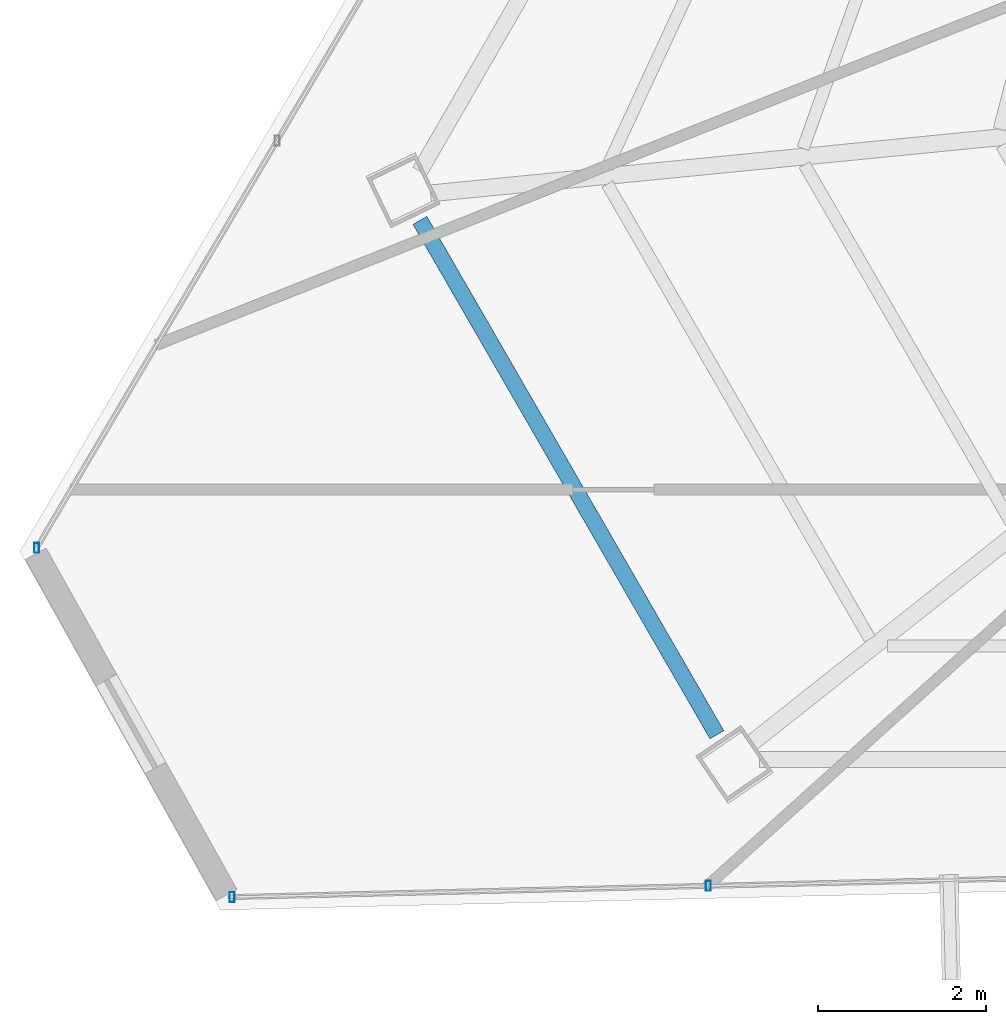
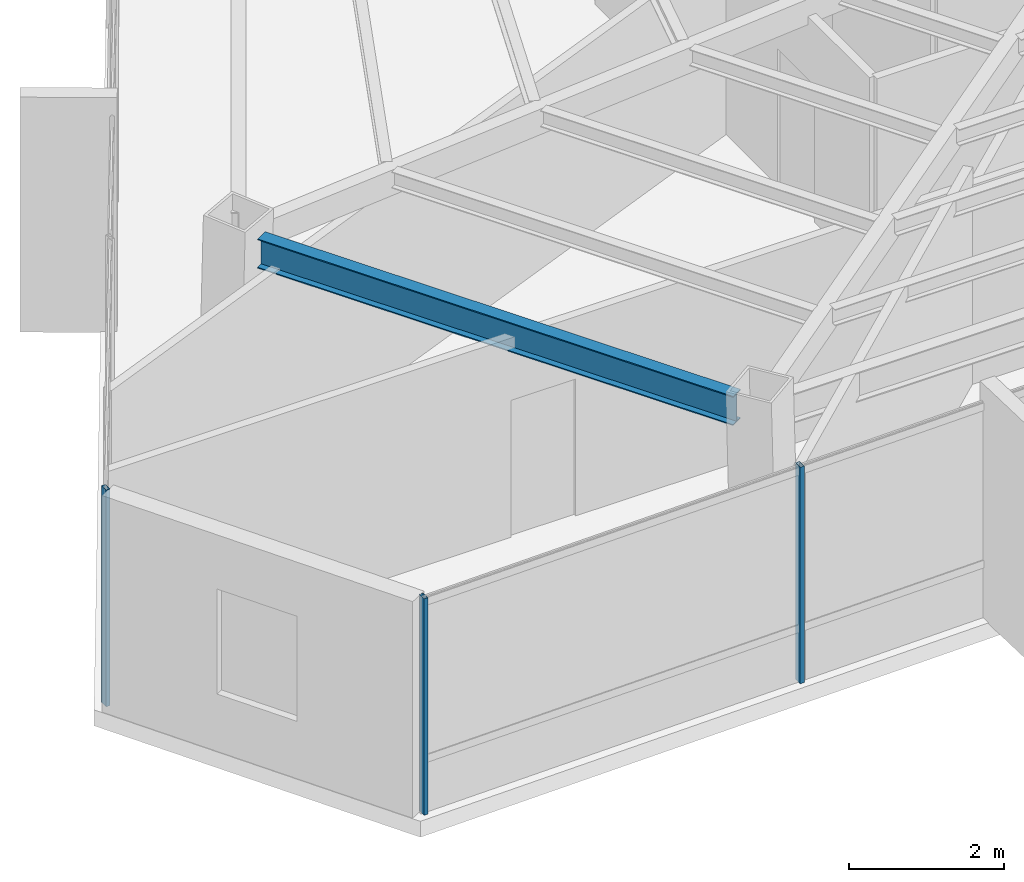
# One storey, part 3 of 46: 3 members, 1 beam, 2 elements without a shape of their own.
"""IFC4 building model written with IfcOpenShell, lengths in metres."""

from ifc_helpers import new_model, si_unit, direction, frame, origin, origin_2d, place, context, subcontext, project, spatial, hollow_rectangle, i_section, extrude, source, transform, mapped, material, material_profile, profile_set, type_object, type_shapes, element, aggregate, save


model = new_model("IFC4")

# Units and contexts
model_context = context("Model", 3, precision=1e-05, world=origin(), true_north=direction((0.0, 1.0)))
body_context = subcontext(model_context, "Body", "Model", "MODEL_VIEW")
ifc_project = project(units=[si_unit("LENGTHUNIT", "METRE"), si_unit("AREAUNIT", "SQUARE_METRE"), si_unit("VOLUMEUNIT", "CUBIC_METRE"), si_unit("PLANEANGLEUNIT", "RADIAN"), si_unit("MASSUNIT", "GRAM", prefix="KILO")], contexts=[model_context])

# Site, building, storey
site_placement = place(None, origin())
site = spatial("IfcSite", under=ifc_project, at=site_placement, CompositionType="ELEMENT")
building_placement = place(site_placement, origin())
building = spatial("IfcBuilding", under=site, at=building_placement, Name="Caelisora Broadcast Tower", CompositionType="ELEMENT")
storey_placement = place(building_placement, frame((0.0, 0.0, 251.75)))
storey = spatial("IfcBuildingStorey", under=building, at=storey_placement, Name="L66", CompositionType="ELEMENT", Elevation=251.75)

# Beam
ifc_material_1 = material(Name="Steel Grade 350 (AS/NZS 3679.1)", Category="steel")
ifc_material_profile_1 = material_profile(ifc_material_1, i_section(OverallWidth=0.19091796875, OverallDepth=0.46044921875, WebThickness=0.010009765625, FlangeThickness=0.01611328125, at=origin_2d()), Name="Steel Grade 350 (AS/NZS 3679.1)")
ifc_profile_set_1 = profile_set([ifc_material_profile_1], Name="Steel Grade 350 (AS/NZS 3679.1)")
beam_type = type_object("IfcBeamType", Name="PG06", PredefinedType="BEAM", material=ifc_profile_set_1)
shared_shape_1 = source(origin(), body_context, "Body", "SweptSolid", [
    extrude(i_section(OverallWidth=0.19091796875, OverallDepth=0.46044921875, WebThickness=0.010009765625, FlangeThickness=0.01611328125, at=origin_2d()), origin(), (0.0, 0.0, 1.0), 7.06396484375),
])
type_shapes(beam_type, [shared_shape_1])
beam_placement = place(storey_placement, frame((16.5986328125, 15.722412109375, 3.169921875), z_axis=(0.499993700073, -0.866029041019, 0.0), x_axis=(0.866029041019, 0.499993700073, 0.0)))
element("IfcBeam", 1, at=beam_placement, inside=storey, type_object=beam_type, Name="L66 beam PG06", PredefinedType="BEAM", context=body_context, shape_type="MappedRepresentation", body=[
    mapped(shared_shape_1, transform((0.0, 0.0, 0.0), scale=1.0)),
])

# Curtain wall, members
ifc_material_2 = material(Name="Unitised Aluminium and Low-E Glass Curtain Wall", Category="glass")
curtain_wall_type = type_object("IfcCurtainWallType", Name="CW-Z5", PredefinedType="NOTDEFINED", material=ifc_material_2)
curtain_wall_1_placement = place(storey_placement, origin())
curtain_wall_1 = element("IfcCurtainWall", 2, at=curtain_wall_1_placement, inside=storey, type_object=curtain_wall_type, Name="L66 curtain wall CW-Z5", PredefinedType="NOTDEFINED")
ifc_material_3 = material(Name="Aluminium 6063-T6 Anodised Terracotta Bronze", Category="aluminium")
ifc_material_profile_2 = material_profile(ifc_material_3, hollow_rectangle(XDim=0.06005859375, YDim=0.1201171875, WallThickness=0.0029296875, at=origin_2d()), Name="Aluminium 6063-T6 Anodised Terracotta Bronze")
ifc_profile_set_2 = profile_set([ifc_material_profile_2], Name="Aluminium 6063-T6 Anodised Terracotta Bronze")
member_type = type_object("IfcMemberType", Name="CWM-04", PredefinedType="MULLION", material=ifc_profile_set_2)
shared_shape_2 = source(origin(), body_context, "Body", "SweptSolid", [
    extrude(hollow_rectangle(XDim=0.06005859375, YDim=0.1201171875, WallThickness=0.0029296875, at=origin_2d()), origin(), (0.0, 0.0, 1.0), 3.39990234375),
])
type_shapes(member_type, [shared_shape_2])
member_1_placement = place(storey_placement, frame((20.030517578125, 7.8076171875, 0.0), z_axis=(0.0, 0.0, 1.0), x_axis=(1.0, 0.0, 0.0)))
member_1 = element("IfcMember", 3, at=member_1_placement, type_object=member_type, Name="L66-CW-B07 mullion #2", PredefinedType="MULLION", context=body_context, shape_type="MappedRepresentation", body=[
    mapped(shared_shape_2, transform((0.0, 0.0, 0.0), scale=1.0)),
])
member_2_placement = place(storey_placement, frame((14.364013671875, 7.67431640625, 0.0), z_axis=(0.0, 0.0, 1.0), x_axis=(1.0, 0.0, 0.0)))
member_2 = element("IfcMember", 4, at=member_2_placement, type_object=member_type, Name="L66-CW-B07 mullion #3", PredefinedType="MULLION", context=body_context, shape_type="MappedRepresentation", body=[
    mapped(shared_shape_2, transform((0.0, 0.0, 0.0), scale=1.0)),
])
aggregate(curtain_wall_1, [member_1, member_2])

# Curtain wall, member
curtain_wall_2_placement = place(storey_placement, origin())
curtain_wall_2 = element("IfcCurtainWall", 5, at=curtain_wall_2_placement, inside=storey, type_object=curtain_wall_type, Name="L66 curtain wall CW-Z5", PredefinedType="NOTDEFINED")
member_3_placement = place(storey_placement, frame((12.040283203125, 11.8271484375, 0.0), z_axis=(0.0, 0.0, 1.0), x_axis=(1.0, 0.0, 0.0)))
member_3 = element("IfcMember", 6, at=member_3_placement, type_object=member_type, Name="L66-CW-B09 mullion #0", PredefinedType="MULLION", context=body_context, shape_type="MappedRepresentation", body=[
    mapped(shared_shape_2, transform((0.0, 0.0, 0.0), scale=1.0)),
])
aggregate(curtain_wall_2, [member_3])

save(model, "model.ifc")
